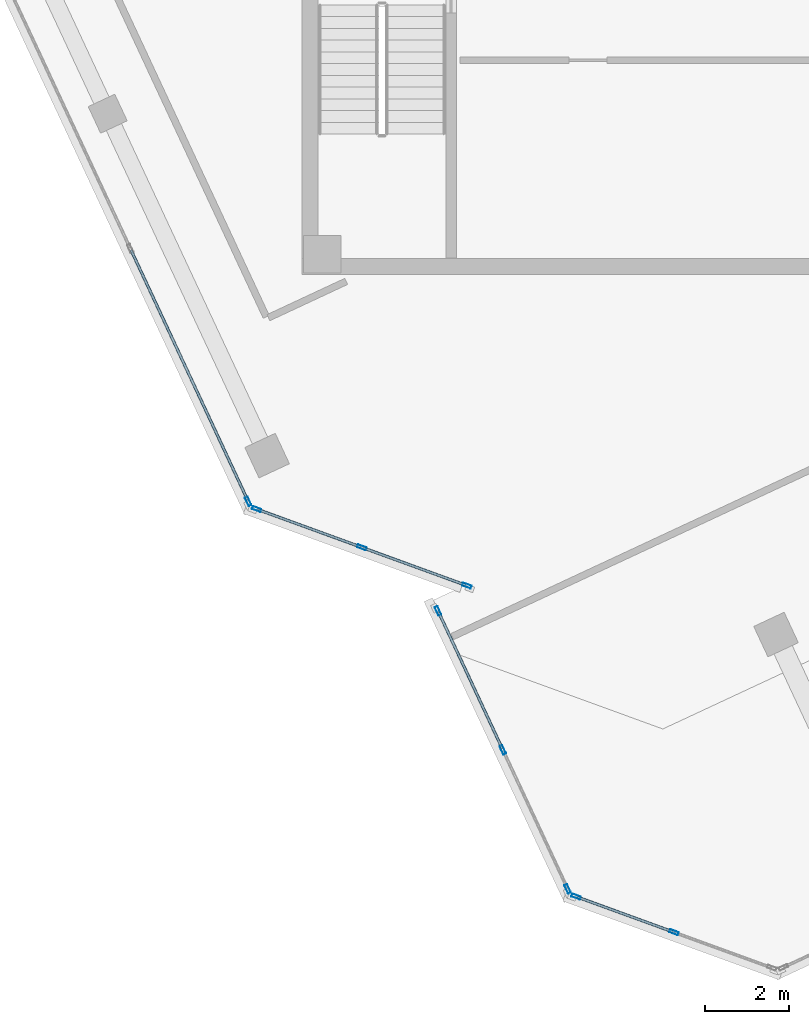
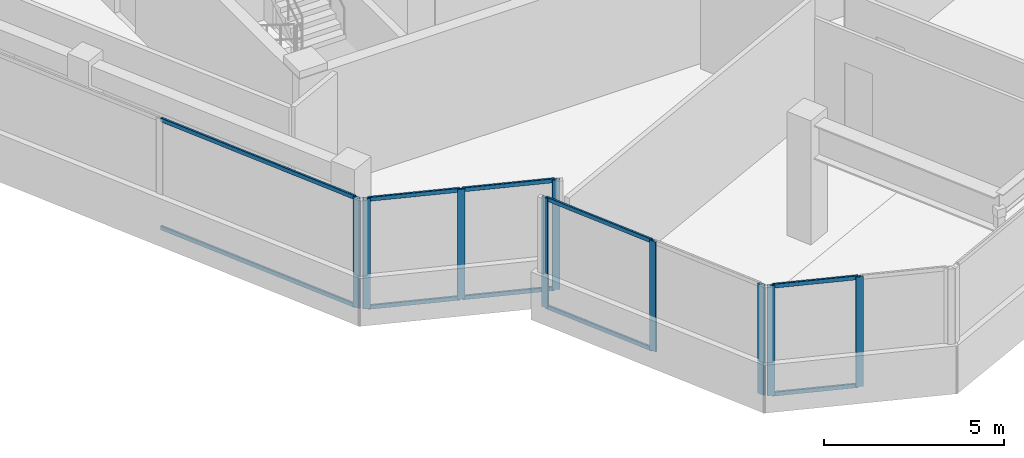
# One storey, part 2 of 17: 19 members, 4 elements without a shape of their own.
"""IFC4 building model written with IfcOpenShell, lengths in metres."""

from ifc_helpers import new_model, si_unit, direction, frame, origin, origin_2d, place, context, subcontext, project, spatial, hollow_rectangle, extrude, source, transform, mapped, material, material_profile, profile_set, type_object, element, aggregate, save


model = new_model("IFC4")

# Units and contexts
model_context = context("Model", 3, precision=1e-05, world=origin(), true_north=direction((0.0, 1.0)))
body_context = subcontext(model_context, "Body", "Model", "MODEL_VIEW")
ifc_project = project(units=[si_unit("LENGTHUNIT", "METRE"), si_unit("AREAUNIT", "SQUARE_METRE"), si_unit("VOLUMEUNIT", "CUBIC_METRE"), si_unit("PLANEANGLEUNIT", "RADIAN"), si_unit("MASSUNIT", "GRAM", prefix="KILO")], contexts=[model_context])

# Site, building, storey
site_placement = place(None, origin())
site = spatial("IfcSite", under=ifc_project, at=site_placement, CompositionType="ELEMENT")
building_placement = place(site_placement, origin())
building = spatial("IfcBuilding", under=site, at=building_placement, Name="Torre Montelarca", CompositionType="ELEMENT")
storey_placement = place(building_placement, frame((0.0, 0.0, 340.800048828125)))
storey = spatial("IfcBuildingStorey", under=building, at=storey_placement, Name="L77", CompositionType="ELEMENT", Elevation=340.800048828125)

# Curtain wall, members
ifc_material_1 = material(Name="Insulated low-E laminated glass", Category="glass")
curtain_wall_type = type_object("IfcCurtainWallType", Name="CW-SYS-Z4", PredefinedType="USERDEFINED", material=ifc_material_1)
curtain_wall_1_placement = place(storey_placement, origin())
curtain_wall_1 = element("IfcCurtainWall", 1, at=curtain_wall_1_placement, inside=storey, type_object=curtain_wall_type, Name="L77 Curtain Wall Run CW-T3-L77-E02-B1", ObjectType="UNITISED GLAZING", PredefinedType="USERDEFINED")
ifc_material_2 = material(Name="Anodised aluminium AA 6063-T6", Category="aluminium")
ifc_material_profile_1 = material_profile(ifc_material_2, hollow_rectangle(XDim=0.06494140625, YDim=0.139892578125, WallThickness=0.00390625, InnerFilletRadius=0.00390625, OuterFilletRadius=0.008056640625, at=origin_2d()), Name="ALU65X140X4", Category="aluminium")
ifc_profile_set_1 = profile_set([ifc_material_profile_1], Name="Anodised aluminium AA 6063-T6")
member_type_1 = type_object("IfcMemberType", Name="CWT-ALU140", PredefinedType="USERDEFINED", material=ifc_profile_set_1)
shared_shape_1 = source(origin(), body_context, "Body", "SweptSolid", [
    extrude(hollow_rectangle(XDim=0.06494140625, YDim=0.139892578125, WallThickness=0.00390625, InnerFilletRadius=0.00390625, OuterFilletRadius=0.008056640625, at=origin_2d()), origin(), (0.0, 0.0, 1.0), 2.59228515625),
])
member_1_placement = place(storey_placement, frame((8.023193359375, 18.45703125, 0.032470703125), z_axis=(0.939683388802, -0.342045506928, 0.0), x_axis=(0.342045506928, 0.939683388802, 0.0)))
member_1 = element("IfcMember", 2, at=member_1_placement, type_object=member_type_1, Name="CW transom 1.1", ObjectType="TRANSOM", PredefinedType="USERDEFINED", context=body_context, shape_type="MappedRepresentation", body=[
    mapped(shared_shape_1, transform((0.0, 0.0, 0.0), scale=1.0)),
])
member_2_placement = place(storey_placement, frame((8.023193359375, 18.45703125, 3.6875), z_axis=(0.939683388802, -0.342045506928, 0.0), x_axis=(0.342045506928, 0.939683388802, 0.0)))
member_2 = element("IfcMember", 3, at=member_2_placement, type_object=member_type_1, Name="CW transom 1.2", ObjectType="TRANSOM", PredefinedType="USERDEFINED", context=body_context, shape_type="MappedRepresentation", body=[
    mapped(shared_shape_1, transform((0.0, 0.0, 0.0), scale=1.0)),
])

# Curtain wall, member
curtain_wall_2_placement = place(storey_placement, origin())
curtain_wall_2 = element("IfcCurtainWall", 4, at=curtain_wall_2_placement, inside=storey, type_object=curtain_wall_type, Name="L77 Curtain Wall Run CW-T3-L77-E01-B1", ObjectType="UNITISED GLAZING", PredefinedType="USERDEFINED")
ifc_material_profile_2 = material_profile(ifc_material_2, hollow_rectangle(XDim=0.074951171875, YDim=0.219970703125, WallThickness=0.0048828125, InnerFilletRadius=0.0048828125, OuterFilletRadius=0.010009765625, at=origin_2d()), Name="ALU75X220X5", Category="aluminium")
ifc_profile_set_2 = profile_set([ifc_material_profile_2], Name="Anodised aluminium AA 6063-T6")
member_type_2 = type_object("IfcMemberType", Name="CWM-ALU220", PredefinedType="MULLION", material=ifc_profile_set_2)
shared_shape_2 = source(origin(), body_context, "Body", "SweptSolid", [
    extrude(hollow_rectangle(XDim=0.074951171875, YDim=0.219970703125, WallThickness=0.0048828125, InnerFilletRadius=0.0048828125, OuterFilletRadius=0.010009765625, at=origin_2d()), origin(), (0.0, 0.0, 1.0), 3.719970703125),
])
member_3_placement = place(storey_placement, frame((7.783935546875, 18.656494140625, 0.0), z_axis=(0.0, 0.0, 1.0), x_axis=(0.906310655964, 0.422612109251, 0.0)))
member_3 = element("IfcMember", 5, at=member_3_placement, type_object=member_type_2, Name="CW mullion 4", PredefinedType="MULLION", context=body_context, shape_type="MappedRepresentation", body=[
    mapped(shared_shape_2, transform((0.0, 0.0, 0.0), scale=1.0)),
])

# Member
member_4_placement = place(storey_placement, frame((7.98779296875, 18.469970703125, 0.0), z_axis=(0.0, 0.0, 1.0), x_axis=(0.342023557513, 0.939691378116, 0.0)))
member_4 = element("IfcMember", 6, at=member_4_placement, type_object=member_type_2, Name="CW mullion 1", PredefinedType="MULLION", context=body_context, shape_type="MappedRepresentation", body=[
    mapped(shared_shape_2, transform((0.0, 0.0, 0.0), scale=1.0)),
])

member_5_placement = place(storey_placement, frame((10.494384765625, 17.5576171875, 0.0), z_axis=(0.0, 0.0, 1.0), x_axis=(0.342023557513, 0.939691378116, 0.0)))
member_5 = element("IfcMember", 7, at=member_5_placement, type_object=member_type_2, Name="CW mullion 2", PredefinedType="MULLION", context=body_context, shape_type="MappedRepresentation", body=[
    mapped(shared_shape_2, transform((0.0, 0.0, 0.0), scale=1.0)),
])

member_6_placement = place(storey_placement, frame((13.0009765625, 16.645263671875, 0.0), z_axis=(0.0, 0.0, 1.0), x_axis=(0.342023557513, 0.939691378116, 0.0)))
member_6 = element("IfcMember", 8, at=member_6_placement, type_object=member_type_2, Name="CW mullion 3", PredefinedType="MULLION", context=body_context, shape_type="MappedRepresentation", body=[
    mapped(shared_shape_2, transform((0.0, 0.0, 0.0), scale=1.0)),
])

# Curtain wall, members
curtain_wall_3_placement = place(storey_placement, origin())
curtain_wall_3 = element("IfcCurtainWall", 9, at=curtain_wall_3_placement, inside=storey, type_object=curtain_wall_type, Name="L77 Curtain Wall Run CW-T3-L77-E04-B1", ObjectType="UNITISED GLAZING", PredefinedType="USERDEFINED")
member_7_placement = place(storey_placement, frame((12.313232421875, 16.042724609375, 0.0), z_axis=(0.0, 0.0, 1.0), x_axis=(0.906316843386, 0.422598839793, 0.0)))
member_7 = element("IfcMember", 10, at=member_7_placement, type_object=member_type_2, Name="CW mullion 1", PredefinedType="MULLION", context=body_context, shape_type="MappedRepresentation", body=[
    mapped(shared_shape_2, transform((0.0, 0.0, 0.0), scale=1.0)),
])
member_8_placement = place(storey_placement, frame((13.859130859375, 12.72705078125, 0.0), z_axis=(0.0, 0.0, 1.0), x_axis=(0.906316843386, 0.422598839793, 0.0)))
member_8 = element("IfcMember", 11, at=member_8_placement, type_object=member_type_2, Name="CW mullion 2", PredefinedType="MULLION", context=body_context, shape_type="MappedRepresentation", body=[
    mapped(shared_shape_2, transform((0.0, 0.0, 0.0), scale=1.0)),
])
member_9_placement = place(storey_placement, frame((15.4052734375, 9.4111328125, 0.0), z_axis=(0.0, 0.0, 1.0), x_axis=(0.906316843386, 0.422598839793, 0.0)))
member_9 = element("IfcMember", 12, at=member_9_placement, type_object=member_type_2, Name="CW mullion 3", PredefinedType="MULLION", context=body_context, shape_type="MappedRepresentation", body=[
    mapped(shared_shape_2, transform((0.0, 0.0, 0.0), scale=1.0)),
])

curtain_wall_4_placement = place(storey_placement, origin())
curtain_wall_4 = element("IfcCurtainWall", 13, at=curtain_wall_4_placement, inside=storey, type_object=curtain_wall_type, Name="L77 Curtain Wall Run CW-T3-L77-E05-B1", ObjectType="UNITISED GLAZING", PredefinedType="USERDEFINED")
member_10_placement = place(storey_placement, frame((15.609130859375, 9.224609375, 0.0), z_axis=(0.0, 0.0, 1.0), x_axis=(0.342015350618, 0.939694365175, 0.0)))
member_10 = element("IfcMember", 14, at=member_10_placement, type_object=member_type_2, Name="CW mullion 1", PredefinedType="MULLION", context=body_context, shape_type="MappedRepresentation", body=[
    mapped(shared_shape_2, transform((0.0, 0.0, 0.0), scale=1.0)),
])
member_11_placement = place(storey_placement, frame((17.94287109375, 8.375244140625, 0.0), z_axis=(0.0, 0.0, 1.0), x_axis=(0.342015350618, 0.939694365175, 0.0)))
member_11 = element("IfcMember", 15, at=member_11_placement, type_object=member_type_2, Name="CW mullion 2", PredefinedType="MULLION", context=body_context, shape_type="MappedRepresentation", body=[
    mapped(shared_shape_2, transform((0.0, 0.0, 0.0), scale=1.0)),
])

# Member
shared_shape_3 = source(origin(), body_context, "Body", "SweptSolid", [
    extrude(hollow_rectangle(XDim=0.06494140625, YDim=0.139892578125, WallThickness=0.00390625, InnerFilletRadius=0.00390625, OuterFilletRadius=0.008056640625, at=origin_2d()), origin(), (0.0, 0.0, 1.0), 2.592529296875),
])
member_12_placement = place(storey_placement, frame((10.529541015625, 17.544677734375, 0.032470703125), z_axis=(0.939694405417, -0.342015240052, 0.0), x_axis=(0.342015240052, 0.939694405417, 0.0)))
member_12 = element("IfcMember", 16, at=member_12_placement, type_object=member_type_1, Name="CW transom 2.1", ObjectType="TRANSOM", PredefinedType="USERDEFINED", context=body_context, shape_type="MappedRepresentation", body=[
    mapped(shared_shape_3, transform((0.0, 0.0, 0.0), scale=1.0)),
])

member_13_placement = place(storey_placement, frame((10.529541015625, 17.544677734375, 3.6875), z_axis=(0.939694405417, -0.342015240052, 0.0), x_axis=(0.342015240052, 0.939694405417, 0.0)))
member_13 = element("IfcMember", 17, at=member_13_placement, type_object=member_type_1, Name="CW transom 2.2", ObjectType="TRANSOM", PredefinedType="USERDEFINED", context=body_context, shape_type="MappedRepresentation", body=[
    mapped(shared_shape_3, transform((0.0, 0.0, 0.0), scale=1.0)),
])

aggregate(curtain_wall_1, [member_4, member_5, member_6, member_1, member_2, member_12, member_13])

shared_shape_4 = source(origin(), body_context, "Body", "SweptSolid", [
    extrude(hollow_rectangle(XDim=0.06494140625, YDim=0.139892578125, WallThickness=0.00390625, InnerFilletRadius=0.00390625, OuterFilletRadius=0.008056640625, at=origin_2d()), origin(), (0.0, 0.0, 1.0), 2.40869140625),
])
member_14_placement = place(storey_placement, frame((15.644287109375, 9.211669921875, 0.032470703125), z_axis=(0.939704609666, -0.341987202353, 0.0), x_axis=(0.341987202353, 0.939704609666, 0.0)))
member_14 = element("IfcMember", 18, at=member_14_placement, type_object=member_type_1, Name="CW transom 1.1", ObjectType="TRANSOM", PredefinedType="USERDEFINED", context=body_context, shape_type="MappedRepresentation", body=[
    mapped(shared_shape_4, transform((0.0, 0.0, 0.0), scale=1.0)),
])

member_15_placement = place(storey_placement, frame((15.644287109375, 9.211669921875, 3.6875), z_axis=(0.939704609666, -0.341987202353, 0.0), x_axis=(0.341987202353, 0.939704609666, 0.0)))
member_15 = element("IfcMember", 19, at=member_15_placement, type_object=member_type_1, Name="CW transom 1.2", ObjectType="TRANSOM", PredefinedType="USERDEFINED", context=body_context, shape_type="MappedRepresentation", body=[
    mapped(shared_shape_4, transform((0.0, 0.0, 0.0), scale=1.0)),
])

aggregate(curtain_wall_4, [member_10, member_11, member_14, member_15])

shared_shape_5 = source(origin(), body_context, "Body", "SweptSolid", [
    extrude(hollow_rectangle(XDim=0.06494140625, YDim=0.139892578125, WallThickness=0.00390625, InnerFilletRadius=0.00390625, OuterFilletRadius=0.008056640625, at=origin_2d()), origin(), (0.0, 0.0, 1.0), 6.576904296875),
])
member_16_placement = place(storey_placement, frame((4.98876953125, 24.651123046875, 0.032470703125), z_axis=(0.422621265886, -0.906306386175, 0.0), x_axis=(0.906306386175, 0.422621265886, 0.0)))
member_16 = element("IfcMember", 20, at=member_16_placement, type_object=member_type_1, Name="CW transom 3.1", ObjectType="TRANSOM", PredefinedType="USERDEFINED", context=body_context, shape_type="MappedRepresentation", body=[
    mapped(shared_shape_5, transform((0.0, 0.0, 0.0), scale=1.0)),
])

member_17_placement = place(storey_placement, frame((4.98876953125, 24.651123046875, 3.6875), z_axis=(0.422621265886, -0.906306386175, 0.0), x_axis=(0.906306386175, 0.422621265886, 0.0)))
member_17 = element("IfcMember", 21, at=member_17_placement, type_object=member_type_1, Name="CW transom 3.2", ObjectType="TRANSOM", PredefinedType="USERDEFINED", context=body_context, shape_type="MappedRepresentation", body=[
    mapped(shared_shape_5, transform((0.0, 0.0, 0.0), scale=1.0)),
])

aggregate(curtain_wall_2, [member_3, member_16, member_17])

shared_shape_6 = source(origin(), body_context, "Body", "SweptSolid", [
    extrude(hollow_rectangle(XDim=0.06494140625, YDim=0.139892578125, WallThickness=0.00390625, InnerFilletRadius=0.00390625, OuterFilletRadius=0.008056640625, at=origin_2d()), origin(), (0.0, 0.0, 1.0), 3.58349609375),
])
member_18_placement = place(storey_placement, frame((12.3291015625, 16.0087890625, 0.032470703125), z_axis=(0.422601989693, -0.906315374639, 0.0), x_axis=(0.906315374639, 0.422601989693, 0.0)))
member_18 = element("IfcMember", 22, at=member_18_placement, type_object=member_type_1, Name="CW transom 1.1", ObjectType="TRANSOM", PredefinedType="USERDEFINED", context=body_context, shape_type="MappedRepresentation", body=[
    mapped(shared_shape_6, transform((0.0, 0.0, 0.0), scale=1.0)),
])

member_19_placement = place(storey_placement, frame((12.3291015625, 16.0087890625, 3.6875), z_axis=(0.422601989693, -0.906315374639, 0.0), x_axis=(0.906315374639, 0.422601989693, 0.0)))
member_19 = element("IfcMember", 23, at=member_19_placement, type_object=member_type_1, Name="CW transom 1.2", ObjectType="TRANSOM", PredefinedType="USERDEFINED", context=body_context, shape_type="MappedRepresentation", body=[
    mapped(shared_shape_6, transform((0.0, 0.0, 0.0), scale=1.0)),
])

aggregate(curtain_wall_3, [member_7, member_8, member_9, member_18, member_19])

save(model, "model.ifc")
